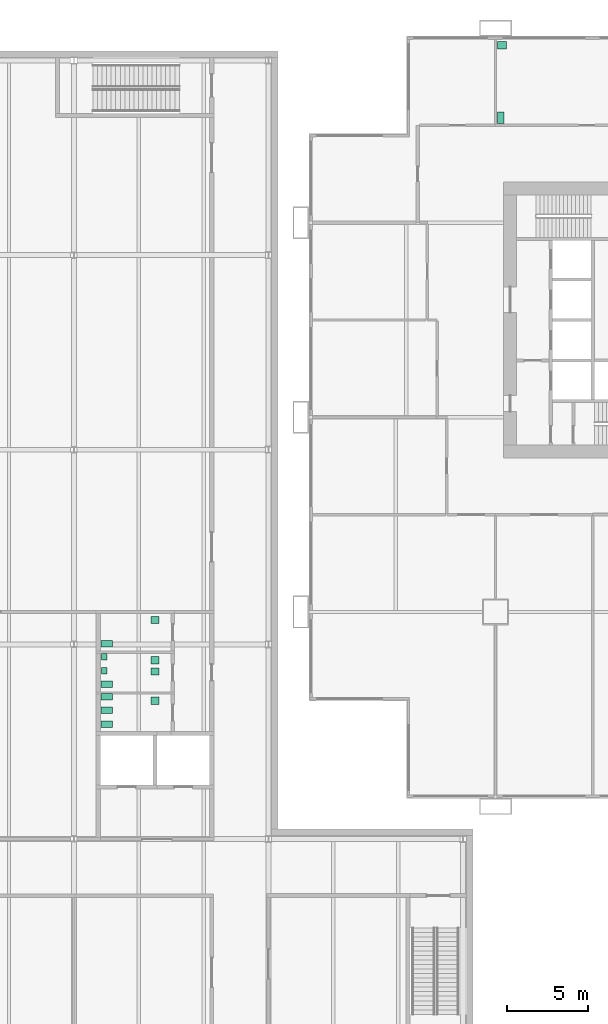
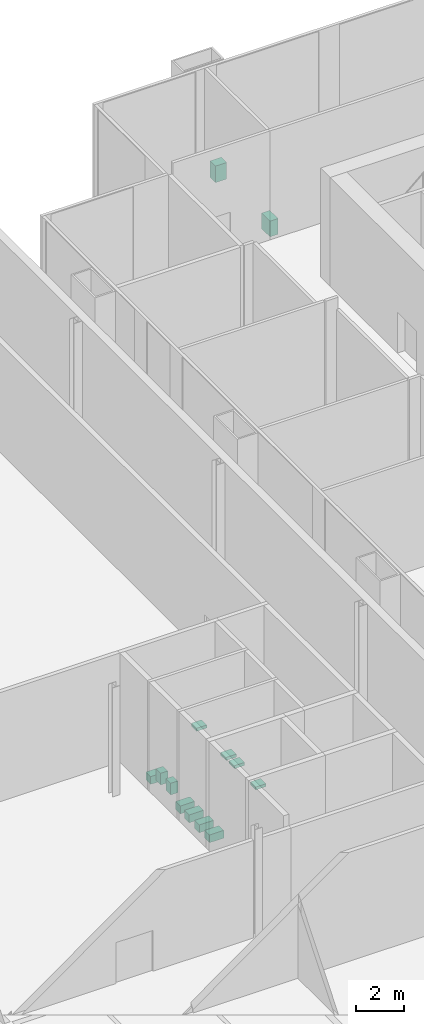
# One storey, part 25 of 25: 13 sanitary terminals.
"""IFC4 building model written with IfcOpenShell, lengths in metres."""

import ifcopenshell
import ifcopenshell.guid

model = None  # the IFC model being written
_history = None  # IfcOwnerHistory: only IFC2X3 demands one
_inside = {}  # id of a spatial element -> (the spatial element, [elements in it])
_under = {}  # id of a project, library or spatial element -> (it, [spatial elements below it])
_declared = {}  # id of a project -> (the project, [libraries it declares])
_typed = {}  # id of a type object -> (the type object, [elements of that type])
_made_of = {}  # id of a material, layer set ... -> (it, [elements and type objects made of it])


def new_model(schema):
    """Start an empty IFC model of exactly this schema.

    Asked for "IFC4X3", IfcOpenShell would pick the latest addendum, in which some entities
    have other attributes; the version numbers below select the first issue.
    IFC2X3 requires an IfcOwnerHistory on every rooted entity: one is made here for all.
    """
    global model, _history
    if schema == "IFC4X3":
        model = ifcopenshell.file(schema_version=(4, 3, 0, 0))
    else:
        model = ifcopenshell.file(schema=schema)
    _inside.clear()
    _under.clear()
    _declared.clear()
    _typed.clear()
    _made_of.clear()
    _history = None
    if model.schema == "IFC2X3":
        org = make("IfcOrganization", Name="unknown")
        user = make(
            "IfcPersonAndOrganization",
            ThePerson=make("IfcPerson", FamilyName="unknown"),
            TheOrganization=org,
        )
        app = make(
            "IfcApplication",
            ApplicationDeveloper=org,
            Version="unknown",
            ApplicationFullName="unknown",
            ApplicationIdentifier="unknown",
        )
        _history = make(
            "IfcOwnerHistory",
            OwningUser=user,
            OwningApplication=app,
            ChangeAction="ADDED",
            CreationDate=0,
        )
    return model


def make(cls, **values):
    """One entity of the class cls with the attributes given. An attribute that is None is left unset."""
    return model.create_entity(
        cls, **{name: value for name, value in values.items() if value is not None}
    )


def rooted(cls, **values):
    """An entity with a GlobalId (a new one), such as an element, a storey or a relation."""
    return make(cls, GlobalId=ifcopenshell.guid.new(), OwnerHistory=_history, **values)


def si_unit(unit_type, name, prefix=None):
    """IfcSIUnit, for example si_unit("LENGTHUNIT", "METRE", prefix="MILLI")."""
    return make("IfcSIUnit", UnitType=unit_type, Prefix=prefix, Name=name)


def assignment(units):
    """IfcUnitAssignment: the units of a project."""
    return None if units is None else make("IfcUnitAssignment", Units=units)


def point(xyz):
    """IfcCartesianPoint."""
    return None if xyz is None else make("IfcCartesianPoint", Coordinates=xyz)


def direction(xyz):
    """IfcDirection."""
    return None if xyz is None else make("IfcDirection", DirectionRatios=xyz)


def frame(location, z_axis=None, x_axis=None):
    """IfcAxis2Placement3D, a coordinate frame: its origin and axes. An axis left out is left unset."""
    return make(
        "IfcAxis2Placement3D",
        Location=point(location),
        Axis=direction(z_axis),
        RefDirection=direction(x_axis),
    )


def frame_2d(location, x_axis=None):
    """IfcAxis2Placement2D, a coordinate frame in the plane: its origin and x axis."""
    return make(
        "IfcAxis2Placement2D", Location=point(location), RefDirection=direction(x_axis)
    )


def origin():
    """The frame at (0, 0, 0) with its axes left unset."""
    return frame((0.0, 0.0, 0.0))


def origin_2d():
    """The frame at (0, 0) in the plane with its x axis left unset."""
    return frame_2d((0.0, 0.0))


def place(relative_to, where):
    """IfcLocalPlacement: puts the frame where relative to a parent placement (None: the world)."""
    return make(
        "IfcLocalPlacement", PlacementRelTo=relative_to, RelativePlacement=where
    )


def context(
    kind, dimensions, precision=None, world=None, true_north=None, identifier=None
):
    """IfcGeometricRepresentationContext, for example the 3D "Model" context."""
    return make(
        "IfcGeometricRepresentationContext",
        ContextIdentifier=identifier,
        ContextType=kind,
        CoordinateSpaceDimension=dimensions,
        Precision=precision,
        WorldCoordinateSystem=world,
        TrueNorth=true_north,
    )


def subcontext(parent, identifier, kind, view, scale=None):
    """IfcGeometricRepresentationSubContext, for example "Body" below "Model"."""
    return make(
        "IfcGeometricRepresentationSubContext",
        ContextIdentifier=identifier,
        ContextType=kind,
        ParentContext=parent,
        TargetScale=scale,
        TargetView=view,
    )


def project(units=None, contexts=None):
    """IfcProject with its units and contexts."""
    return rooted(
        "IfcProject",
        Name="project",
        RepresentationContexts=contexts,
        UnitsInContext=assignment(units),
    )


def spatial(cls, under=None, at=None, **own):
    """A site, building, storey or space (cls), placed at a placement, below another one or the project."""
    s = rooted(cls, ObjectPlacement=at, **own)
    if under is not None:
        _under.setdefault(under.id(), (under, []))[1].append(s)
    return s


def profile(cls, at=None, kind="AREA", **sizes):
    """A parametric profile (cls). Its sizes go by their IFC names, for example OverallWidth=200.0."""
    return make(cls, ProfileType=kind, Position=at, **sizes)


def rectangle(**sizes):
    """IfcRectangleProfileDef."""
    return profile("IfcRectangleProfileDef", **sizes)


def extrude(swept, where, along, depth):
    """IfcExtrudedAreaSolid: the profile swept, set in the frame where, extruded along a direction by depth."""
    return make(
        "IfcExtrudedAreaSolid",
        SweptArea=swept,
        Position=where,
        ExtrudedDirection=direction(along),
        Depth=depth,
    )


def shape(context_of_items, identifier, shape_type, items):
    """IfcShapeRepresentation: the items that make up one representation, for example the "Body"."""
    return make(
        "IfcShapeRepresentation",
        ContextOfItems=context_of_items,
        RepresentationIdentifier=identifier,
        RepresentationType=shape_type,
        Items=items,
    )


def material(Name=None, Category=None):
    """IfcMaterial."""
    return make("IfcMaterial", Name=Name, Category=Category)


def made_of(thing, what):
    """Note that an element or type object is made of a material, layer set ...; save() writes the relation."""
    if what is not None:
        _made_of.setdefault(what.id(), (what, []))[1].append(thing)
    return thing


def type_object(cls, material=None, **own):
    """A type object (cls), such as IfcWallType, which elements share."""
    return made_of(rooted(cls, **own), material)


def element(
    cls,
    number,
    at=None,
    inside=None,
    cuts=None,
    type_object=None,
    material=None,
    context=None,
    identifier="Body",
    shape_type=None,
    held_by="IfcProductDefinitionShape",
    body=None,
    shapes=None,
    **own,
):
    """One element of the class cls, such as IfcWall. Its Tag is "e" and its number.

    at: its placement. inside: the storey or other place that contains it. cuts: it is an
    opening in that element (IfcRelVoidsElement). A single representation is given by context,
    identifier, shape_type and body (its items); several are given by shapes. held_by: the class
    of the entity that holds the representations. save() writes the other relations.
    """
    e = rooted(cls, Tag="e%d" % number, ObjectPlacement=at, **own)
    if body is not None:
        shapes = [shape(context, identifier, shape_type, body)]
    if shapes is not None:
        e.Representation = make(held_by, Representations=shapes)
    if inside is not None:
        _inside.setdefault(inside.id(), (inside, []))[1].append(e)
    if cuts is not None:
        rooted(
            "IfcRelVoidsElement", RelatingBuildingElement=cuts, RelatedOpeningElement=e
        )
    if type_object is not None:
        _typed.setdefault(type_object.id(), (type_object, []))[1].append(e)
    return made_of(e, material)


def aggregate(whole, parts):
    """IfcRelAggregates: a whole, such as a stair, and the parts it consists of."""
    return rooted("IfcRelAggregates", RelatingObject=whole, RelatedObjects=parts)


def save(model, path):
    """Write the relations noted so far, then the file.

    IfcRelAggregates (storeys below a building ...), IfcRelContainedInSpatialStructure (elements
    in a storey), IfcRelDefinesByType, IfcRelAssociatesMaterial and IfcRelDeclares: one each for
    every whole, place, type object, material and project.
    """
    for whole, parts in _under.values():
        aggregate(whole, parts)
    for where, things in _inside.values():
        rooted(
            "IfcRelContainedInSpatialStructure",
            RelatedElements=things,
            RelatingStructure=where,
        )
    for kind, things in _typed.values():
        rooted("IfcRelDefinesByType", RelatedObjects=things, RelatingType=kind)
    for what, things in _made_of.values():
        rooted("IfcRelAssociatesMaterial", RelatedObjects=things, RelatingMaterial=what)
    for by, libraries in _declared.values():
        rooted("IfcRelDeclares", RelatingContext=by, RelatedDefinitions=libraries)
    model.write(path)


model = new_model("IFC4")

# Units and contexts
model_context = context("Model", 3, precision=1e-05, world=origin(), true_north=direction((0.0, 1.0)))
body_context = subcontext(model_context, "Body", "Model", "MODEL_VIEW")
ifc_project = project(units=[si_unit("LENGTHUNIT", "METRE"), si_unit("AREAUNIT", "SQUARE_METRE"), si_unit("VOLUMEUNIT", "CUBIC_METRE"), si_unit("PLANEANGLEUNIT", "RADIAN"), si_unit("MASSUNIT", "GRAM", prefix="KILO")], contexts=[model_context])

# Site, building, storey
site_placement = place(None, origin())
site = spatial("IfcSite", under=ifc_project, at=site_placement, CompositionType="ELEMENT")
building_placement = place(site_placement, origin())
building = spatial("IfcBuilding", under=site, at=building_placement, Name="Kitamizu Gate Tower and Museum", CompositionType="ELEMENT")
storey_placement = place(building_placement, frame((0.0, 0.0, 12.0)))
storey = spatial("IfcBuildingStorey", under=building, at=storey_placement, Name="L02", CompositionType="ELEMENT", Elevation=12.0)

# Sanitary terminals
ifc_material_1 = material(Name="Vitreous china")
sanitary_terminal_type_1 = type_object("IfcSanitaryTerminalType", Name="Wash hand basin", PredefinedType="WASHHANDBASIN", material=ifc_material_1)
sanitary_terminal_1_placement = place(storey_placement, frame((12.39501953125, 46.93505859375, 0.0009765625), z_axis=(0.0, 0.0, 1.0), x_axis=(1.0, 0.0, 0.0)))
element("IfcSanitaryTerminal", 1, at=sanitary_terminal_1_placement, inside=storey, type_object=sanitary_terminal_type_1, Name="Wash hand basin Public WC", PredefinedType="WASHHANDBASIN", context=body_context, shape_type="SweptSolid", body=[
    extrude(rectangle(XDim=0.550048828125, YDim=0.449951171875, at=origin_2d()), origin(), (0.0, 0.0, 1.0), 0.85009765625),
])
ifc_material_2 = material(Name="Vitreous china")
sanitary_terminal_type_2 = type_object("IfcSanitaryTerminalType", Name="Water closet", PredefinedType="TOILETPAN", material=ifc_material_2)
sanitary_terminal_2_placement = place(storey_placement, frame((12.320068359375, 42.469970703125, 0.0009765625), z_axis=(0.0, 0.0, 1.0), x_axis=(1.0, 0.0, 0.0)))
element("IfcSanitaryTerminal", 2, at=sanitary_terminal_2_placement, inside=storey, type_object=sanitary_terminal_type_2, Name="Water closet Public WC", PredefinedType="TOILETPAN", context=body_context, shape_type="SweptSolid", body=[
    extrude(rectangle(XDim=0.39990234375, YDim=0.699951171875, at=origin_2d()), origin(), (0.0, 0.0, 1.0), 0.800048828125),
])
for number, where, z_axis, x_axis, name in (
    (3, (-11.97509765625, 5.074951171875, 0.0), (0.0, 0.0, 1.0), (1.0, 0.0, 0.0), "WC pan Women WC 1"),
    (4, (-11.97509765625, 5.925048828125, 0.0), (0.0, 0.0, 1.0), (1.0, 0.0, 0.0), "WC pan Women WC 2"),
    (5, (-11.97509765625, 6.77490234375, 0.0), (0.0, 0.0, 1.0), (1.0, 0.0, 0.0), "WC pan Women WC 3"),
):
    element("IfcSanitaryTerminal", number, at=place(storey_placement, frame(where, z_axis=z_axis, x_axis=x_axis)), inside=storey, Name=name, PredefinedType="TOILETPAN", context=body_context, shape_type="SweptSolid", body=[
        extrude(rectangle(XDim=0.699951171875, YDim=0.39990234375, at=origin_2d()), origin(), (0.0, 0.0, 1.0), 0.39990234375),
    ])
sanitary_terminal_3_placement = place(storey_placement, frame((-9.0, 6.52490234375, 0.775146484375), z_axis=(0.0, 0.0, 1.0), x_axis=(1.0, 0.0, 0.0)))
element("IfcSanitaryTerminal", 6, at=sanitary_terminal_3_placement, inside=storey, Name="Basin Women WC 1", PredefinedType="WASHHANDBASIN", context=body_context, shape_type="SweptSolid", body=[
    extrude(rectangle(XDim=0.5, YDim=0.449951171875, at=origin_2d()), origin(), (0.0, 0.0, 1.0), 0.14990234375),
])
sanitary_terminal_4_placement = place(storey_placement, frame((-11.97509765625, 7.52490234375, 0.0), z_axis=(0.0, 0.0, 1.0), x_axis=(1.0, 0.0, 0.0)))
element("IfcSanitaryTerminal", 7, at=sanitary_terminal_4_placement, inside=storey, Name="WC pan Men WC 1", PredefinedType="TOILETPAN", context=body_context, shape_type="SweptSolid", body=[
    extrude(rectangle(XDim=0.699951171875, YDim=0.39990234375, at=origin_2d()), origin(), (0.0, 0.0, 1.0), 0.39990234375),
])
for number, where, z_axis, x_axis, name in (
    (8, (-12.125, 8.375, 0.449951171875), (0.0, 0.0, 1.0), (1.0, 0.0, 0.0), "Urinal Men WC 1"),
    (9, (-12.125, 9.22509765625, 0.449951171875), (0.0, 0.0, 1.0), (1.0, 0.0, 0.0), "Urinal Men WC 2"),
):
    element("IfcSanitaryTerminal", number, at=place(storey_placement, frame(where, z_axis=z_axis, x_axis=x_axis)), inside=storey, Name=name, PredefinedType="URINAL", context=body_context, shape_type="SweptSolid", body=[
        extrude(rectangle(XDim=0.35009765625, YDim=0.39990234375, at=origin_2d()), origin(), (0.0, 0.0, 1.0), 0.60009765625),
    ])
for number, where, z_axis, x_axis, name in (
    (10, (-9.0, 9.02490234375, 0.775146484375), (0.0, 0.0, 1.0), (1.0, 0.0, 0.0), "Basin Men WC 1"),
    (11, (-9.0, 8.324951171875, 0.775146484375), (0.0, 0.0, 1.0), (1.0, 0.0, 0.0), "Basin Men WC 2"),
):
    element("IfcSanitaryTerminal", number, at=place(storey_placement, frame(where, z_axis=z_axis, x_axis=x_axis)), inside=storey, Name=name, PredefinedType="WASHHANDBASIN", context=body_context, shape_type="SweptSolid", body=[
        extrude(rectangle(XDim=0.5, YDim=0.449951171875, at=origin_2d()), origin(), (0.0, 0.0, 1.0), 0.14990234375),
    ])
sanitary_terminal_5_placement = place(storey_placement, frame((-11.97509765625, 10.02490234375, 0.0), z_axis=(0.0, 0.0, 1.0), x_axis=(1.0, 0.0, 0.0)))
element("IfcSanitaryTerminal", 12, at=sanitary_terminal_5_placement, inside=storey, Name="WC pan Accessible WC 1", PredefinedType="TOILETPAN", context=body_context, shape_type="SweptSolid", body=[
    extrude(rectangle(XDim=0.699951171875, YDim=0.39990234375, at=origin_2d()), origin(), (0.0, 0.0, 1.0), 0.39990234375),
])
sanitary_terminal_6_placement = place(storey_placement, frame((-9.0, 11.5, 0.775146484375), z_axis=(0.0, 0.0, 1.0), x_axis=(1.0, 0.0, 0.0)))
element("IfcSanitaryTerminal", 13, at=sanitary_terminal_6_placement, inside=storey, Name="Basin Accessible WC 1", PredefinedType="WASHHANDBASIN", context=body_context, shape_type="SweptSolid", body=[
    extrude(rectangle(XDim=0.5, YDim=0.449951171875, at=origin_2d()), origin(), (0.0, 0.0, 1.0), 0.14990234375),
])

save(model, "model.ifc")
